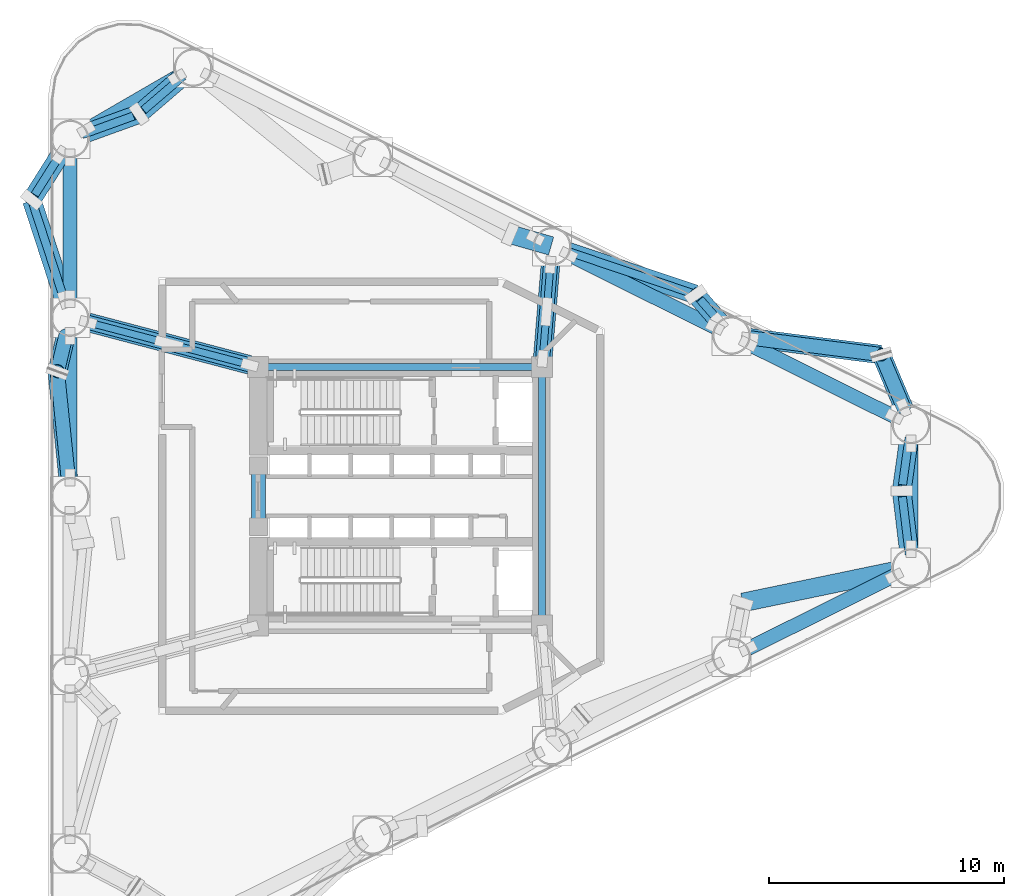
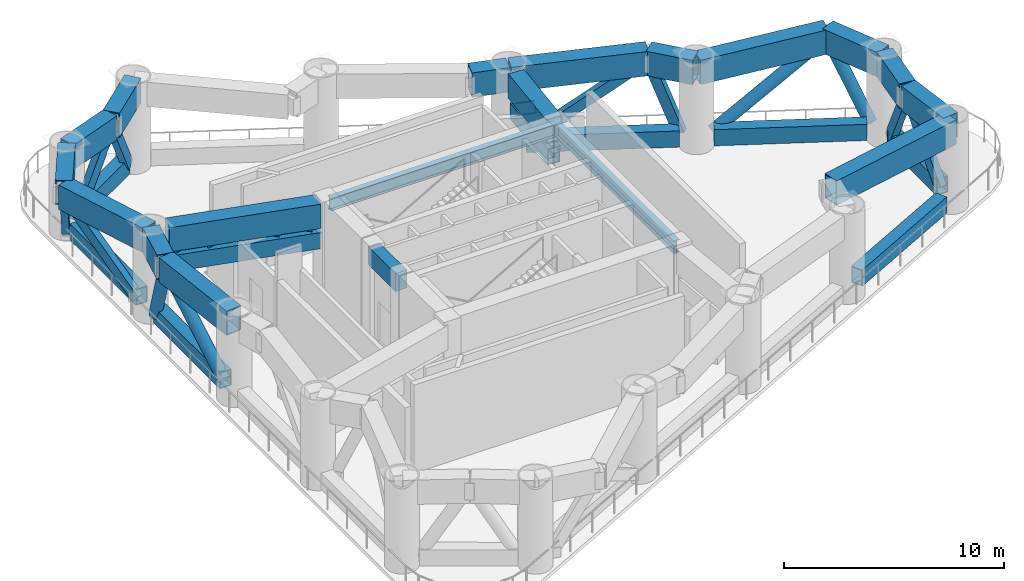
# One storey, part 2 of 8: 25 members, 19 beams.
"""IFC4 building model written with IfcOpenShell, lengths in metres."""

from ifc_helpers import new_model, si_unit, direction, frame, origin, origin_2d, place, context, subcontext, project, spatial, rectangle, hollow_rectangle, hollow_circle, i_section, extrude, source, transform, mapped, material, material_profile, profile_set, type_object, element, save


model = new_model("IFC4")

# Units and contexts
model_context = context("Model", 3, precision=1e-05, world=origin(), true_north=direction((0.0, 1.0)))
body_context = subcontext(model_context, "Body", "Model", "MODEL_VIEW")
ifc_project = project(units=[si_unit("LENGTHUNIT", "METRE"), si_unit("AREAUNIT", "SQUARE_METRE"), si_unit("VOLUMEUNIT", "CUBIC_METRE"), si_unit("PLANEANGLEUNIT", "RADIAN"), si_unit("MASSUNIT", "GRAM", prefix="KILO")], contexts=[model_context])

# Site, building, storey
site_placement = place(None, origin())
site = spatial("IfcSite", under=ifc_project, at=site_placement, CompositionType="ELEMENT")
building_placement = place(site_placement, origin())
building = spatial("IfcBuilding", under=site, at=building_placement, Name="Yunling Apex Tower", CompositionType="ELEMENT")
storey_placement = place(building_placement, frame((0.0, 0.0, 49.699951171875)))
storey = spatial("IfcBuildingStorey", under=building, at=storey_placement, Name="RF1", CompositionType="ELEMENT", Elevation=49.699951171875)

# Beams
ifc_material_1 = material(Name="Concrete C60", Category="concrete")
ifc_material_profile_1 = material_profile(ifc_material_1, rectangle(XDim=0.60009765625, YDim=1.0, at=origin_2d()))
ifc_profile_set_1 = profile_set([ifc_material_profile_1], Name="Concrete C60")
beam_type_1 = type_object("IfcBeamType", Name="BC-CPL-1", PredefinedType="BEAM", material=ifc_profile_set_1)
shared_shape_1 = source(origin(), body_context, "Body", "SweptSolid", [
    extrude(rectangle(XDim=0.60009765625, YDim=1.0, at=origin_2d()), origin(), (0.0, 0.0, 1.0), 2.5),
])
beam_1_placement = place(storey_placement, frame((-6.02490234375, -1.25, 4.4150390625), z_axis=(0.0, 1.0, 0.0), x_axis=(-1.0, 0.0, 0.0)))
element("IfcBeam", 1, at=beam_1_placement, inside=storey, type_object=beam_type_1, Name="RF1 Core West Portal Coupling Beam", PredefinedType="BEAM", context=body_context, shape_type="MappedRepresentation", body=[
    mapped(shared_shape_1, transform((0.0, 0.0, 0.0), scale=1.0)),
])
ifc_material_2 = material(Name="Steel Q355B", Category="steel")
ifc_material_profile_2 = material_profile(ifc_material_2, i_section(OverallWidth=0.300048828125, OverallDepth=0.699951171875, WebThickness=0.012939453125, FlangeThickness=0.02392578125, FilletRadius=0.02587890625, at=origin_2d()))
ifc_profile_set_2 = profile_set([ifc_material_profile_2], Name="Steel Q355B")
beam_type_2 = type_object("IfcBeamType", Name="BG-PRI-3", PredefinedType="USERDEFINED", material=ifc_profile_set_2)
shared_shape_2 = source(origin(), body_context, "Body", "SweptSolid", [
    extrude(i_section(OverallWidth=0.300048828125, OverallDepth=0.699951171875, WebThickness=0.012939453125, FlangeThickness=0.02392578125, FilletRadius=0.02587890625, at=origin_2d()), origin(), (0.0, 0.0, 1.0), 11.7998046875),
])
beam_2_placement = place(storey_placement, frame((5.89990234375, 5.5, 4.56494140625), z_axis=(-1.0, 0.0, 0.0), x_axis=(0.0, -1.0, 0.0)))
element("IfcBeam", 2, at=beam_2_placement, inside=storey, type_object=beam_type_2, Name="RF1 Core Ring Tie Beam 3", ObjectType="GIRDER", PredefinedType="USERDEFINED", context=body_context, shape_type="MappedRepresentation", body=[
    mapped(shared_shape_2, transform((0.0, 0.0, 0.0), scale=1.0)),
])
shared_shape_3 = source(origin(), body_context, "Body", "SweptSolid", [
    extrude(i_section(OverallWidth=0.300048828125, OverallDepth=0.699951171875, WebThickness=0.012939453125, FlangeThickness=0.02392578125, FilletRadius=0.02587890625, at=origin_2d()), origin(), (0.0, 0.0, 1.0), 10.7001953125),
])
beam_3_placement = place(storey_placement, frame((6.050048828125, -5.35009765625, 4.56494140625), z_axis=(0.0, 1.0, 0.0), x_axis=(-1.0, 0.0, 0.0)))
element("IfcBeam", 3, at=beam_3_placement, inside=storey, type_object=beam_type_2, Name="RF1 Core Ring Tie Beam 2", ObjectType="GIRDER", PredefinedType="USERDEFINED", context=body_context, shape_type="MappedRepresentation", body=[
    mapped(shared_shape_3, transform((0.0, 0.0, 0.0), scale=1.0)),
])

# Members
ifc_material_3 = material(Name="Steel Q390GJC", Category="steel")
ifc_material_profile_3 = material_profile(ifc_material_3, hollow_rectangle(XDim=0.60009765625, YDim=0.89990234375, WallThickness=0.0419921875, at=origin_2d()))
ifc_profile_set_3 = profile_set([ifc_material_profile_3], Name="Steel Q390GJC")
member_type_1 = type_object("IfcMemberType", Name="BT-CHD-1", PredefinedType="CHORD", material=ifc_profile_set_3)
shared_shape_4 = source(origin(), body_context, "Body", "SweptSolid", [
    extrude(hollow_rectangle(XDim=0.60009765625, YDim=0.89990234375, WallThickness=0.0419921875, at=origin_2d()), origin(), (0.0, 0.0, 1.0), 6.955078125),
])
for number, where, z_axis, x_axis, name in (
    (4, (14.830810546875, -6.49072265625, 0.550048828125), (0.895233103593, 0.445598126378, 0.0), (-0.445598126378, 0.895233103593, 0.0), "RF1 Belt-Truss Bottom Chord 4"),
    (5, (21.05712890625, 3.3916015625, 0.550048828125), (-0.895233103593, 0.445598126378, 0.0), (-0.445598126378, -0.895233103593, 0.0), "RF1 Belt-Truss Bottom Chord 6"),
    (6, (13.412841796875, 7.196533203125, 0.550048828125), (-0.895254075356, 0.445555990374, 0.0), (-0.445555990374, -0.895254075356, 0.0), "RF1 Belt-Truss Bottom Chord 7"),
):
    element("IfcMember", number, at=place(storey_placement, frame(where, z_axis=z_axis, x_axis=x_axis)), inside=storey, type_object=member_type_1, Name=name, PredefinedType="CHORD", context=body_context, shape_type="MappedRepresentation", body=[
        mapped(shared_shape_4, transform((0.0, 0.0, 0.0), scale=1.0)),
    ])
shared_shape_5 = source(origin(), body_context, "Body", "SweptSolid", [
    extrude(hollow_rectangle(XDim=0.60009765625, YDim=0.89990234375, WallThickness=0.0419921875, at=origin_2d()), origin(), (0.0, 0.0, 1.0), 4.49365234375),
])
member_1_placement = place(storey_placement, frame((21.76611328125, -2.246826171875, 0.550048828125), z_axis=(0.0, 1.0, 0.0), x_axis=(-1.0, 0.0, 0.0)))
element("IfcMember", 7, at=member_1_placement, inside=storey, type_object=member_type_1, Name="RF1 Belt-Truss Bottom Chord 5", PredefinedType="CHORD", context=body_context, shape_type="MappedRepresentation", body=[
    mapped(shared_shape_5, transform((0.0, 0.0, 0.0), scale=1.0)),
])
shared_shape_6 = source(origin(), body_context, "Body", "SweptSolid", [
    extrude(hollow_rectangle(XDim=0.60009765625, YDim=0.89990234375, WallThickness=0.0419921875, at=origin_2d()), origin(), (0.0, 0.0, 1.0), 4.47412109375),
])
member_2_placement = place(storey_placement, frame((-9.49658203125, 17.860595703125, 0.550048828125), z_axis=(-0.865072394366, -0.501647039766, 0.0), x_axis=(0.501647039766, -0.865072394366, 0.0)))
element("IfcMember", 8, at=member_2_placement, inside=storey, type_object=member_type_1, Name="RF1 Belt-Truss Bottom Chord 10", PredefinedType="CHORD", context=body_context, shape_type="MappedRepresentation", body=[
    mapped(shared_shape_6, transform((0.0, 0.0, 0.0), scale=1.0)),
])
shared_shape_7 = source(origin(), body_context, "Body", "SweptSolid", [
    extrude(hollow_rectangle(XDim=0.60009765625, YDim=0.89990234375, WallThickness=0.0419921875, at=origin_2d()), origin(), (0.0, 0.0, 1.0), 6.025390625),
])
for number, where, z_axis, x_axis, name in (
    (9, (-14.052001953125, 14.427001953125, 0.550048828125), (0.0, -1.0, 0.0), (1.0, 0.0, 0.0), "RF1 Belt-Truss Bottom Chord 11"),
    (10, (-14.052001953125, 6.8173828125, 0.550048828125), (0.0, -1.0, 0.0), (1.0, 0.0, 0.0), "RF1 Belt-Truss Bottom Chord 12"),
):
    element("IfcMember", number, at=place(storey_placement, frame(where, z_axis=z_axis, x_axis=x_axis)), inside=storey, type_object=member_type_1, Name=name, PredefinedType="CHORD", context=body_context, shape_type="MappedRepresentation", body=[
        mapped(shared_shape_7, transform((0.0, 0.0, 0.0), scale=1.0)),
    ])

# Beams
ifc_material_profile_4 = material_profile(ifc_material_3, hollow_rectangle(XDim=0.800048828125, YDim=1.35009765625, WallThickness=0.050048828125, at=origin_2d()))
ifc_profile_set_4 = profile_set([ifc_material_profile_4], Name="Steel Q390GJC")
beam_type_3 = type_object("IfcBeamType", Name="BTRNG-1", PredefinedType="USERDEFINED", material=ifc_profile_set_4)
shared_shape_8 = source(origin(), body_context, "Body", "SweptSolid", [
    extrude(hollow_rectangle(XDim=0.800048828125, YDim=1.35009765625, WallThickness=0.050048828125, at=origin_2d()), origin(), (0.0, 0.0, 1.0), 7.278564453125),
])
beam_4_placement = place(storey_placement, frame((14.6005859375, -4.52734375, 4.239990234375), z_axis=(0.979095790604, 0.203399687366, 0.0), x_axis=(-0.203399687366, 0.979095790604, 0.0)))
element("IfcBeam", 11, at=beam_4_placement, inside=storey, type_object=beam_type_3, Name="RF1 Panel-Split Box Ring Transfer Girder 13", ObjectType="GIRDER", PredefinedType="USERDEFINED", context=body_context, shape_type="MappedRepresentation", body=[
    mapped(shared_shape_8, transform((0.0, 0.0, 0.0), scale=1.0)),
])
shared_shape_9 = source(origin(), body_context, "Body", "SweptSolid", [
    extrude(hollow_rectangle(XDim=0.800048828125, YDim=1.35009765625, WallThickness=0.050048828125, at=origin_2d()), origin(), (0.0, 0.0, 1.0), 3.208251953125),
])
beam_5_placement = place(storey_placement, frame((21.761474609375, -2.9990234375, 4.239990234375), z_axis=(-0.120081379242, 0.992764051706, 0.0), x_axis=(-0.992764051706, -0.120081379242, 0.0)))
element("IfcBeam", 12, at=beam_5_placement, inside=storey, type_object=beam_type_3, Name="RF1 Panel-Split Box Ring Transfer Girder 14", ObjectType="GIRDER", PredefinedType="USERDEFINED", context=body_context, shape_type="MappedRepresentation", body=[
    mapped(shared_shape_9, transform((0.0, 0.0, 0.0), scale=1.0)),
])
shared_shape_10 = source(origin(), body_context, "Body", "SweptSolid", [
    extrude(hollow_rectangle(XDim=0.800048828125, YDim=1.35009765625, WallThickness=0.050048828125, at=origin_2d()), origin(), (0.0, 0.0, 1.0), 2.7607421875),
])
beam_6_placement = place(storey_placement, frame((21.376953125, 0.265380859375, 4.239990234375), z_axis=(0.138932331533, 0.990301876831, 0.0), x_axis=(-0.990301876831, 0.138932331533, 0.0)))
element("IfcBeam", 13, at=beam_6_placement, inside=storey, type_object=beam_type_3, Name="RF1 Panel-Split Box Ring Transfer Girder 15", ObjectType="GIRDER", PredefinedType="USERDEFINED", context=body_context, shape_type="MappedRepresentation", body=[
    mapped(shared_shape_10, transform((0.0, 0.0, 0.0), scale=1.0)),
])
shared_shape_11 = source(origin(), body_context, "Body", "SweptSolid", [
    extrude(hollow_rectangle(XDim=0.800048828125, YDim=1.35009765625, WallThickness=0.050048828125, at=origin_2d()), origin(), (0.0, 0.0, 1.0), 3.169189453125),
])
beam_7_placement = place(storey_placement, frame((21.750732421875, 3.07568359375, 4.239990234375), z_axis=(-0.388659630667, 0.92138140392, 0.0), x_axis=(-0.92138140392, -0.388659630667, 0.0)))
element("IfcBeam", 14, at=beam_7_placement, inside=storey, type_object=beam_type_3, Name="RF1 Panel-Split Box Ring Transfer Girder 16", ObjectType="GIRDER", PredefinedType="USERDEFINED", context=body_context, shape_type="MappedRepresentation", body=[
    mapped(shared_shape_11, transform((0.0, 0.0, 0.0), scale=1.0)),
])
shared_shape_12 = source(origin(), body_context, "Body", "SweptSolid", [
    extrude(hollow_rectangle(XDim=0.800048828125, YDim=1.35009765625, WallThickness=0.050048828125, at=origin_2d()), origin(), (0.0, 0.0, 1.0), 6.35302734375),
])
beam_8_placement = place(storey_placement, frame((20.4638671875, 6.037353515625, 4.239990234375), z_axis=(-0.992014355149, 0.126125014085, 0.0), x_axis=(-0.126125014085, -0.992014355149, 0.0)))
element("IfcBeam", 15, at=beam_8_placement, inside=storey, type_object=beam_type_3, Name="RF1 Panel-Split Box Ring Transfer Girder 17", ObjectType="GIRDER", PredefinedType="USERDEFINED", context=body_context, shape_type="MappedRepresentation", body=[
    mapped(shared_shape_12, transform((0.0, 0.0, 0.0), scale=1.0)),
])
shared_shape_13 = source(origin(), body_context, "Body", "SweptSolid", [
    extrude(hollow_rectangle(XDim=0.800048828125, YDim=1.35009765625, WallThickness=0.050048828125, at=origin_2d()), origin(), (0.0, 0.0, 1.0), 2.24072265625),
])
beam_9_placement = place(storey_placement, frame((14.095703125, 6.873779296875, 4.239990234375), z_axis=(-0.656256941009, 0.75453749236, 0.0), x_axis=(-0.75453749236, -0.656256941009, 0.0)))
element("IfcBeam", 16, at=beam_9_placement, inside=storey, type_object=beam_type_3, Name="RF1 Panel-Split Box Ring Transfer Girder 18", ObjectType="GIRDER", PredefinedType="USERDEFINED", context=body_context, shape_type="MappedRepresentation", body=[
    mapped(shared_shape_13, transform((0.0, 0.0, 0.0), scale=1.0)),
])
shared_shape_14 = source(origin(), body_context, "Body", "SweptSolid", [
    extrude(hollow_rectangle(XDim=0.800048828125, YDim=1.35009765625, WallThickness=0.050048828125, at=origin_2d()), origin(), (0.0, 0.0, 1.0), 6.376953125),
])
beam_10_placement = place(storey_placement, frame((12.561279296875, 8.607421875, 4.239990234375), z_axis=(-0.948080515679, 0.318030400733, 0.0), x_axis=(-0.318030400733, -0.948080515679, 0.0)))
element("IfcBeam", 17, at=beam_10_placement, inside=storey, type_object=beam_type_3, Name="RF1 Panel-Split Box Ring Transfer Girder 19", ObjectType="GIRDER", PredefinedType="USERDEFINED", context=body_context, shape_type="MappedRepresentation", body=[
    mapped(shared_shape_14, transform((0.0, 0.0, 0.0), scale=1.0)),
])
shared_shape_15 = source(origin(), body_context, "Body", "SweptSolid", [
    extrude(hollow_rectangle(XDim=0.800048828125, YDim=1.35009765625, WallThickness=0.050048828125, at=origin_2d()), origin(), (0.0, 0.0, 1.0), 1.773681640625),
])
beam_11_placement = place(storey_placement, frame((6.43896484375, 10.6591796875, 4.239990234375), z_axis=(-0.961632954116, 0.274339318287, 0.0), x_axis=(-0.274339318287, -0.961632954116, 0.0)))
element("IfcBeam", 18, at=beam_11_placement, inside=storey, type_object=beam_type_3, Name="RF1 Panel-Split Box Ring Transfer Girder 20", ObjectType="GIRDER", PredefinedType="USERDEFINED", context=body_context, shape_type="MappedRepresentation", body=[
    mapped(shared_shape_15, transform((0.0, 0.0, 0.0), scale=1.0)),
])
shared_shape_16 = source(origin(), body_context, "Body", "SweptSolid", [
    extrude(hollow_rectangle(XDim=0.800048828125, YDim=1.35009765625, WallThickness=0.050048828125, at=origin_2d()), origin(), (0.0, 0.0, 1.0), 2.954345703125),
])
beam_12_placement = place(storey_placement, frame((-8.841796875, 18.231689453125, 4.239990234375), z_axis=(-0.758778071647, -0.651349244252, 0.0), x_axis=(0.651349244252, -0.758778071647, 0.0)))
element("IfcBeam", 19, at=beam_12_placement, inside=storey, type_object=beam_type_3, Name="RF1 Panel-Split Box Ring Transfer Girder 24", ObjectType="GIRDER", PredefinedType="USERDEFINED", context=body_context, shape_type="MappedRepresentation", body=[
    mapped(shared_shape_16, transform((0.0, 0.0, 0.0), scale=1.0)),
])
shared_shape_17 = source(origin(), body_context, "Body", "SweptSolid", [
    extrude(hollow_rectangle(XDim=0.800048828125, YDim=1.35009765625, WallThickness=0.050048828125, at=origin_2d()), origin(), (0.0, 0.0, 1.0), 3.044189453125),
])
beam_13_placement = place(storey_placement, frame((-11.151611328125, 16.267578125, 4.239990234375), z_axis=(-0.940410059944, -0.340042525513, 0.0), x_axis=(0.340042525513, -0.940410059944, 0.0)))
element("IfcBeam", 20, at=beam_13_placement, inside=storey, type_object=beam_type_3, Name="RF1 Panel-Split Box Ring Transfer Girder 25", ObjectType="GIRDER", PredefinedType="USERDEFINED", context=body_context, shape_type="MappedRepresentation", body=[
    mapped(shared_shape_17, transform((0.0, 0.0, 0.0), scale=1.0)),
])
shared_shape_18 = source(origin(), body_context, "Body", "SweptSolid", [
    extrude(hollow_rectangle(XDim=0.800048828125, YDim=1.35009765625, WallThickness=0.050048828125, at=origin_2d()), origin(), (0.0, 0.0, 1.0), 2.9833984375),
])
beam_14_placement = place(storey_placement, frame((-14.073486328125, 15.18505859375, 4.239990234375), z_axis=(-0.534368559609, -0.845251585329, 0.0), x_axis=(0.845251585329, -0.534368559609, 0.0)))
element("IfcBeam", 21, at=beam_14_placement, inside=storey, type_object=beam_type_3, Name="RF1 Panel-Split Box Ring Transfer Girder 26", ObjectType="GIRDER", PredefinedType="USERDEFINED", context=body_context, shape_type="MappedRepresentation", body=[
    mapped(shared_shape_18, transform((0.0, 0.0, 0.0), scale=1.0)),
])
shared_shape_19 = source(origin(), body_context, "Body", "SweptSolid", [
    extrude(hollow_rectangle(XDim=0.800048828125, YDim=1.35009765625, WallThickness=0.050048828125, at=origin_2d()), origin(), (0.0, 0.0, 1.0), 5.200439453125),
])
beam_15_placement = place(storey_placement, frame((-15.6767578125, 12.591552734375, 4.239990234375), z_axis=(0.310038127201, -0.950724123856, 0.0), x_axis=(0.950724123856, 0.310038127201, 0.0)))
element("IfcBeam", 22, at=beam_15_placement, inside=storey, type_object=beam_type_3, Name="RF1 Panel-Split Box Ring Transfer Girder 27", ObjectType="GIRDER", PredefinedType="USERDEFINED", context=body_context, shape_type="MappedRepresentation", body=[
    mapped(shared_shape_19, transform((0.0, 0.0, 0.0), scale=1.0)),
])
shared_shape_20 = source(origin(), body_context, "Body", "SweptSolid", [
    extrude(hollow_rectangle(XDim=0.800048828125, YDim=1.35009765625, WallThickness=0.050048828125, at=origin_2d()), origin(), (0.0, 0.0, 1.0), 2.28662109375),
])
beam_16_placement = place(storey_placement, frame((-14.061279296875, 7.570556640625, 4.239990234375), z_axis=(-0.229223805007, -0.973373744878, 0.0), x_axis=(0.973373744878, -0.229223805007, 0.0)))
element("IfcBeam", 23, at=beam_16_placement, inside=storey, type_object=beam_type_3, Name="RF1 Panel-Split Box Ring Transfer Girder 28", ObjectType="GIRDER", PredefinedType="USERDEFINED", context=body_context, shape_type="MappedRepresentation", body=[
    mapped(shared_shape_20, transform((0.0, 0.0, 0.0), scale=1.0)),
])
shared_shape_21 = source(origin(), body_context, "Body", "SweptSolid", [
    extrude(hollow_rectangle(XDim=0.800048828125, YDim=1.35009765625, WallThickness=0.050048828125, at=origin_2d()), origin(), (0.0, 0.0, 1.0), 5.253662109375),
])
beam_17_placement = place(storey_placement, frame((-14.590576171875, 5.26611328125, 4.239990234375), z_axis=(0.101725814262, -0.994812474144, 0.0), x_axis=(0.994812474144, 0.101725814262, 0.0)))
element("IfcBeam", 24, at=beam_17_placement, inside=storey, type_object=beam_type_3, Name="RF1 Panel-Split Box Ring Transfer Girder 29", ObjectType="GIRDER", PredefinedType="USERDEFINED", context=body_context, shape_type="MappedRepresentation", body=[
    mapped(shared_shape_21, transform((0.0, 0.0, 0.0), scale=1.0)),
])

# Members
ifc_material_profile_5 = material_profile(ifc_material_2, hollow_rectangle(XDim=0.35009765625, YDim=0.550048828125, WallThickness=0.02587890625, at=origin_2d()))
ifc_profile_set_5 = profile_set([ifc_material_profile_5], Name="Steel Q355B")
member_type_2 = type_object("IfcMemberType", Name="BR-BLT-1", PredefinedType="BRACE", material=ifc_profile_set_5)
shared_shape_22 = source(origin(), body_context, "Body", "SweptSolid", [
    extrude(hollow_rectangle(XDim=0.35009765625, YDim=0.550048828125, WallThickness=0.02587890625, at=origin_2d()), origin(), (0.0, 0.0, 1.0), 4.2119140625),
])
member_3_placement = place(storey_placement, frame((21.656494140625, 2.256591796875, 0.550048828125), z_axis=(-0.067066005233, -0.477461266293, 0.876089544586), x_axis=(0.990278584835, -0.139098254541, 0.0)))
element("IfcMember", 25, at=member_3_placement, inside=storey, type_object=member_type_2, Name="RF1 Belt-Truss Diagonal 5-1", PredefinedType="BRACE", context=body_context, shape_type="MappedRepresentation", body=[
    mapped(shared_shape_22, transform((0.0, 0.0, 0.0), scale=1.0)),
])
shared_shape_23 = source(origin(), body_context, "Body", "SweptSolid", [
    extrude(hollow_rectangle(XDim=0.35009765625, YDim=0.550048828125, WallThickness=0.02587890625, at=origin_2d()), origin(), (0.0, 0.0, 1.0), 4.44482421875),
])
member_4_placement = place(storey_placement, frame((21.67138671875, -2.25439453125, 0.550048828125), z_axis=(-0.066955297135, 0.55349346122, 0.830157802211), x_axis=(-0.99276264006, -0.120093049343, 0.0)))
element("IfcMember", 26, at=member_4_placement, inside=storey, type_object=member_type_2, Name="RF1 Belt-Truss Diagonal 5-2", PredefinedType="BRACE", context=body_context, shape_type="MappedRepresentation", body=[
    mapped(shared_shape_23, transform((0.0, 0.0, 0.0), scale=1.0)),
])
ifc_material_profile_6 = material_profile(ifc_material_2, hollow_circle(Radius=0.304931640625, WallThickness=0.02392578125, at=origin_2d()))
ifc_profile_set_6 = profile_set([ifc_material_profile_6], Name="Steel Q355B")
member_type_3 = type_object("IfcMemberType", Name="BR-PER-1", PredefinedType="BRACE", material=ifc_profile_set_6)
shared_shape_24 = source(origin(), body_context, "Body", "SweptSolid", [
    extrude(hollow_circle(Radius=0.304931640625, WallThickness=0.02392578125, at=origin_2d()), origin(), (0.0, 0.0, 1.0), 4.423095703125),
])
member_5_placement = place(storey_placement, frame((21.459228515625, 3.7666015625, 0.550048828125), z_axis=(-0.214323526101, 0.508073154199, 0.834222450035), x_axis=(-0.921377043181, -0.388669968351, 0.0)))
element("IfcMember", 27, at=member_5_placement, inside=storey, type_object=member_type_3, Name="RF1 Belt-Truss Diagonal 6-1", PredefinedType="BRACE", context=body_context, shape_type="MappedRepresentation", body=[
    mapped(shared_shape_24, transform((0.0, 0.0, 0.0), scale=1.0)),
])
shared_shape_25 = source(origin(), body_context, "Body", "SweptSolid", [
    extrude(hollow_circle(Radius=0.304931640625, WallThickness=0.02392578125, at=origin_2d()), origin(), (0.0, 0.0, 1.0), 6.7255859375),
])
member_6_placement = place(storey_placement, frame((14.905517578125, 6.743896484375, 0.550048828125), z_axis=(0.829385964576, -0.105415653061, 0.548640557974), x_axis=(0.126086480753, 0.992019253529, 0.0)))
element("IfcMember", 28, at=member_6_placement, inside=storey, type_object=member_type_3, Name="RF1 Belt-Truss Diagonal 6-2", PredefinedType="BRACE", context=body_context, shape_type="MappedRepresentation", body=[
    mapped(shared_shape_25, transform((0.0, 0.0, 0.0), scale=1.0)),
])
shared_shape_26 = source(origin(), body_context, "Body", "SweptSolid", [
    extrude(hollow_rectangle(XDim=0.35009765625, YDim=0.550048828125, WallThickness=0.02587890625, at=origin_2d()), origin(), (0.0, 0.0, 1.0), 3.987060546875),
])
member_7_placement = place(storey_placement, frame((13.603515625, 7.439697265625, 0.550048828125), z_axis=(-0.248600141268, 0.285890162458, 0.925453826385), x_axis=(-0.754605522164, -0.656178714925, 0.0)))
element("IfcMember", 29, at=member_7_placement, inside=storey, type_object=member_type_2, Name="RF1 Belt-Truss Diagonal 7-1", PredefinedType="BRACE", context=body_context, shape_type="MappedRepresentation", body=[
    mapped(shared_shape_26, transform((0.0, 0.0, 0.0), scale=1.0)),
])
shared_shape_27 = source(origin(), body_context, "Body", "SweptSolid", [
    extrude(hollow_rectangle(XDim=0.35009765625, YDim=0.550048828125, WallThickness=0.02587890625, at=origin_2d()), origin(), (0.0, 0.0, 1.0), 6.74560546875),
])
member_8_placement = place(storey_placement, frame((7.226318359375, 10.39697265625, 0.550048828125), z_axis=(0.793662212294, -0.266230983339, 0.547011294478), x_axis=(0.318030057064, 0.948080630961, 0.0)))
element("IfcMember", 30, at=member_8_placement, inside=storey, type_object=member_type_2, Name="RF1 Belt-Truss Diagonal 7-2", PredefinedType="BRACE", context=body_context, shape_type="MappedRepresentation", body=[
    mapped(shared_shape_27, transform((0.0, 0.0, 0.0), scale=1.0)),
])
shared_shape_28 = source(origin(), body_context, "Body", "SweptSolid", [
    extrude(hollow_rectangle(XDim=0.35009765625, YDim=0.550048828125, WallThickness=0.02587890625, at=origin_2d()), origin(), (0.0, 0.0, 1.0), 4.30859375),
])
member_9_placement = place(storey_placement, frame((-9.410888671875, 17.7431640625, 0.550048828125), z_axis=(-0.391766958918, -0.336294026783, 0.856402345542), x_axis=(0.651342514153, -0.758783848838, 0.0)))
element("IfcMember", 31, at=member_9_placement, inside=storey, type_object=member_type_2, Name="RF1 Belt-Truss Diagonal 10-1", PredefinedType="BRACE", context=body_context, shape_type="MappedRepresentation", body=[
    mapped(shared_shape_28, transform((0.0, 0.0, 0.0), scale=1.0)),
])
shared_shape_29 = source(origin(), body_context, "Body", "SweptSolid", [
    extrude(hollow_rectangle(XDim=0.35009765625, YDim=0.550048828125, WallThickness=0.02587890625, at=origin_2d()), origin(), (0.0, 0.0, 1.0), 4.35546875),
])
member_10_placement = place(storey_placement, frame((-13.30908203125, 15.487548828125, 0.550048828125), z_axis=(0.499652278839, 0.180657313742, 0.847177983214), x_axis=(-0.340022936063, 0.940417143055, 0.0)))
element("IfcMember", 32, at=member_10_placement, inside=storey, type_object=member_type_2, Name="RF1 Belt-Truss Diagonal 10-2", PredefinedType="BRACE", context=body_context, shape_type="MappedRepresentation", body=[
    mapped(shared_shape_29, transform((0.0, 0.0, 0.0), scale=1.0)),
])
shared_shape_30 = source(origin(), body_context, "Body", "SweptSolid", [
    extrude(hollow_rectangle(XDim=0.35009765625, YDim=0.550048828125, WallThickness=0.02587890625, at=origin_2d()), origin(), (0.0, 0.0, 1.0), 4.32373046875),
])
member_11_placement = place(storey_placement, frame((-14.47412109375, 14.55126953125, 0.550048828125), z_axis=(-0.278545598685, -0.440545866802, 0.853423510748), x_axis=(0.845223648096, -0.534412747508, 0.0)))
element("IfcMember", 33, at=member_11_placement, inside=storey, type_object=member_type_2, Name="RF1 Belt-Truss Diagonal 11-1", PredefinedType="BRACE", context=body_context, shape_type="MappedRepresentation", body=[
    mapped(shared_shape_30, transform((0.0, 0.0, 0.0), scale=1.0)),
])
shared_shape_31 = source(origin(), body_context, "Body", "SweptSolid", [
    extrude(hollow_rectangle(XDim=0.35009765625, YDim=0.550048828125, WallThickness=0.02587890625, at=origin_2d()), origin(), (0.0, 0.0, 1.0), 5.79638671875),
])
member_12_placement = place(storey_placement, frame((-14.296875, 8.360595703125, 0.550048828125), z_axis=(-0.23910846867, 0.733204196338, 0.636583652542), x_axis=(-0.950722140491, -0.310044209074, 0.0)))
element("IfcMember", 34, at=member_12_placement, inside=storey, type_object=member_type_2, Name="RF1 Belt-Truss Diagonal 11-2", PredefinedType="BRACE", context=body_context, shape_type="MappedRepresentation", body=[
    mapped(shared_shape_31, transform((0.0, 0.0, 0.0), scale=1.0)),
])
shared_shape_32 = source(origin(), body_context, "Body", "SweptSolid", [
    extrude(hollow_circle(Radius=0.304931640625, WallThickness=0.02392578125, at=origin_2d()), origin(), (0.0, 0.0, 1.0), 4.0048828125),
])
member_13_placement = place(storey_placement, frame((-14.233154296875, 6.840576171875, 0.550048828125), z_axis=(-0.089125653697, -0.378326817264, 0.921371497927), x_axis=(0.973355425059, -0.229301584182, 0.0)))
element("IfcMember", 35, at=member_13_placement, inside=storey, type_object=member_type_3, Name="RF1 Belt-Truss Diagonal 12-1", PredefinedType="BRACE", context=body_context, shape_type="MappedRepresentation", body=[
    mapped(shared_shape_32, transform((0.0, 0.0, 0.0), scale=1.0)),
])
shared_shape_33 = source(origin(), body_context, "Body", "SweptSolid", [
    extrude(hollow_circle(Radius=0.304931640625, WallThickness=0.02392578125, at=origin_2d()), origin(), (0.0, 0.0, 1.0), 5.837646484375),
])
member_14_placement = place(storey_placement, frame((-14.13232421875, 0.785888671875, 0.550048828125), z_axis=(-0.078834773072, 0.770866067513, 0.632100138042), x_axis=(-0.994811313941, -0.101737159656, 0.0)))
element("IfcMember", 36, at=member_14_placement, inside=storey, type_object=member_type_3, Name="RF1 Belt-Truss Diagonal 12-2", PredefinedType="BRACE", context=body_context, shape_type="MappedRepresentation", body=[
    mapped(shared_shape_33, transform((0.0, 0.0, 0.0), scale=1.0)),
])

# Beam
shared_shape_34 = source(origin(), body_context, "Body", "SweptSolid", [
    extrude(hollow_rectangle(XDim=0.800048828125, YDim=1.35009765625, WallThickness=0.050048828125, at=origin_2d()), origin(), (0.0, 0.0, 1.0), 7.125244140625),
])
beam_18_placement = place(storey_placement, frame((-6.398193359375, 5.591796875, 4.239990234375), z_axis=(-0.966961264272, 0.254923348081, 0.0), x_axis=(-0.254923348081, -0.966961264272, 0.0)))
element("IfcBeam", 37, at=beam_18_placement, inside=storey, type_object=beam_type_3, Name="RF1 Radial Outrigger Top Girder 4", ObjectType="GIRDER", PredefinedType="USERDEFINED", context=body_context, shape_type="MappedRepresentation", body=[
    mapped(shared_shape_34, transform((0.0, 0.0, 0.0), scale=1.0)),
])

# Members
shared_shape_35 = source(origin(), body_context, "Body", "SweptSolid", [
    extrude(hollow_rectangle(XDim=0.60009765625, YDim=0.89990234375, WallThickness=0.0419921875, at=origin_2d()), origin(), (0.0, 0.0, 1.0), 7.125244140625),
])
member_15_placement = place(storey_placement, frame((-6.398193359375, 5.591796875, 2.820068359375), z_axis=(-0.966961264272, 0.254923348081, 0.0), x_axis=(-0.254923348081, -0.966961264272, 0.0)))
element("IfcMember", 38, at=member_15_placement, inside=storey, type_object=member_type_1, Name="RF1 Radial Outrigger Lower Chord 4", PredefinedType="CHORD", context=body_context, shape_type="MappedRepresentation", body=[
    mapped(shared_shape_35, transform((0.0, 0.0, 0.0), scale=1.0)),
])
ifc_material_profile_7 = material_profile(ifc_material_2, i_section(OverallWidth=0.300048828125, OverallDepth=0.590087890625, WebThickness=0.011962890625, FlangeThickness=0.02001953125, FilletRadius=0.02392578125, at=origin_2d()))
ifc_profile_set_7 = profile_set([ifc_material_profile_7], Name="Steel Q355B")
member_type_4 = type_object("IfcMemberType", Name="BR-OUT-1", PredefinedType="BRACE", material=ifc_profile_set_7)
shared_shape_36 = source(origin(), body_context, "Body", "SweptSolid", [
    extrude(i_section(OverallWidth=0.300048828125, OverallDepth=0.590087890625, WebThickness=0.011962890625, FlangeThickness=0.02001953125, FilletRadius=0.02392578125, at=origin_2d()), origin(), (0.0, 0.0, 1.0), 3.8349609375),
])
member_16_placement = place(storey_placement, frame((-6.398193359375, 5.591796875, 2.820068359375), z_axis=(-0.898240928107, 0.236814759217, 0.370245870862), x_axis=(-0.254931794434, -0.966959037492, 0.0)))
element("IfcMember", 39, at=member_16_placement, inside=storey, type_object=member_type_4, Name="RF1 Outrigger Inner Diagonal 4A", PredefinedType="BRACE", context=body_context, shape_type="MappedRepresentation", body=[
    mapped(shared_shape_36, transform((0.0, 0.0, 0.0), scale=1.0)),
])
shared_shape_37 = source(origin(), body_context, "Body", "SweptSolid", [
    extrude(i_section(OverallWidth=0.300048828125, OverallDepth=0.590087890625, WebThickness=0.011962890625, FlangeThickness=0.02001953125, FilletRadius=0.02392578125, at=origin_2d()), origin(), (0.0, 0.0, 1.0), 3.835205078125),
])
member_17_placement = place(storey_placement, frame((-9.843017578125, 6.5, 4.239990234375), z_axis=(-0.898253223801, 0.236801218378, -0.370224700562), x_axis=(-0.254914902267, -0.966963490832, 0.0)))
element("IfcMember", 40, at=member_17_placement, inside=storey, type_object=member_type_4, Name="RF1 Outrigger Outer Diagonal 4B", PredefinedType="BRACE", context=body_context, shape_type="MappedRepresentation", body=[
    mapped(shared_shape_37, transform((0.0, 0.0, 0.0), scale=1.0)),
])

# Beam
shared_shape_38 = source(origin(), body_context, "Body", "SweptSolid", [
    extrude(hollow_rectangle(XDim=0.800048828125, YDim=1.35009765625, WallThickness=0.050048828125, at=origin_2d()), origin(), (0.0, 0.0, 1.0), 4.015869140625),
])
beam_19_placement = place(storey_placement, frame((6.079833984375, 5.85888671875, 4.239990234375), z_axis=(0.082738578657, 0.99657128576, 0.0), x_axis=(-0.99657128576, 0.082738578657, 0.0)))
element("IfcBeam", 41, at=beam_19_placement, inside=storey, type_object=beam_type_3, Name="RF1 Radial Outrigger Top Girder 3", ObjectType="GIRDER", PredefinedType="USERDEFINED", context=body_context, shape_type="MappedRepresentation", body=[
    mapped(shared_shape_38, transform((0.0, 0.0, 0.0), scale=1.0)),
])

# Members
shared_shape_39 = source(origin(), body_context, "Body", "SweptSolid", [
    extrude(hollow_rectangle(XDim=0.60009765625, YDim=0.89990234375, WallThickness=0.0419921875, at=origin_2d()), origin(), (0.0, 0.0, 1.0), 4.015869140625),
])
member_18_placement = place(storey_placement, frame((6.079833984375, 5.85888671875, 2.820068359375), z_axis=(0.082738578657, 0.99657128576, 0.0), x_axis=(-0.99657128576, 0.082738578657, 0.0)))
element("IfcMember", 42, at=member_18_placement, inside=storey, type_object=member_type_1, Name="RF1 Radial Outrigger Lower Chord 3", PredefinedType="CHORD", context=body_context, shape_type="MappedRepresentation", body=[
    mapped(shared_shape_39, transform((0.0, 0.0, 0.0), scale=1.0)),
])
shared_shape_40 = source(origin(), body_context, "Body", "SweptSolid", [
    extrude(i_section(OverallWidth=0.300048828125, OverallDepth=0.590087890625, WebThickness=0.011962890625, FlangeThickness=0.02001953125, FilletRadius=0.02392578125, at=origin_2d()), origin(), (0.0, 0.0, 1.0), 2.459228515625),
])
member_19_placement = place(storey_placement, frame((6.079833984375, 5.85888671875, 2.820068359375), z_axis=(0.067508081357, 0.813670933535, 0.577392648785), x_axis=(-0.996575880997, 0.08268321121, 0.0)))
element("IfcMember", 43, at=member_19_placement, inside=storey, type_object=member_type_4, Name="RF1 Outrigger Inner Diagonal 3A", PredefinedType="BRACE", context=body_context, shape_type="MappedRepresentation", body=[
    mapped(shared_shape_40, transform((0.0, 0.0, 0.0), scale=1.0)),
])
shared_shape_41 = source(origin(), body_context, "Body", "SweptSolid", [
    extrude(i_section(OverallWidth=0.300048828125, OverallDepth=0.590087890625, WebThickness=0.011962890625, FlangeThickness=0.02001953125, FilletRadius=0.02392578125, at=origin_2d()), origin(), (0.0, 0.0, 1.0), 2.45947265625),
])
member_20_placement = place(storey_placement, frame((6.245849609375, 7.85986328125, 4.239990234375), z_axis=(0.067601443735, 0.813699022465, -0.577342139155), x_axis=(-0.996566688052, 0.082793938583, 0.0)))
element("IfcMember", 44, at=member_20_placement, inside=storey, type_object=member_type_4, Name="RF1 Outrigger Outer Diagonal 3B", PredefinedType="BRACE", context=body_context, shape_type="MappedRepresentation", body=[
    mapped(shared_shape_41, transform((0.0, 0.0, 0.0), scale=1.0)),
])

save(model, "model.ifc")
